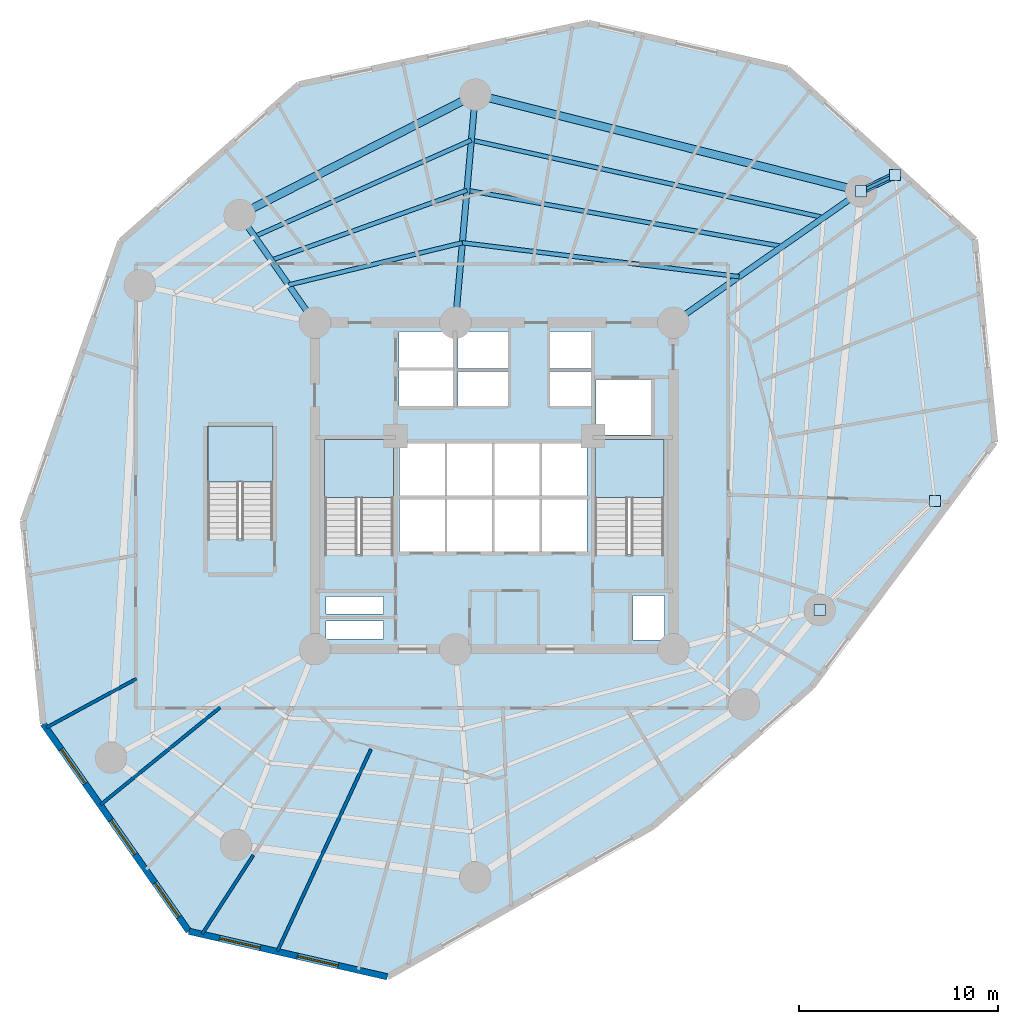
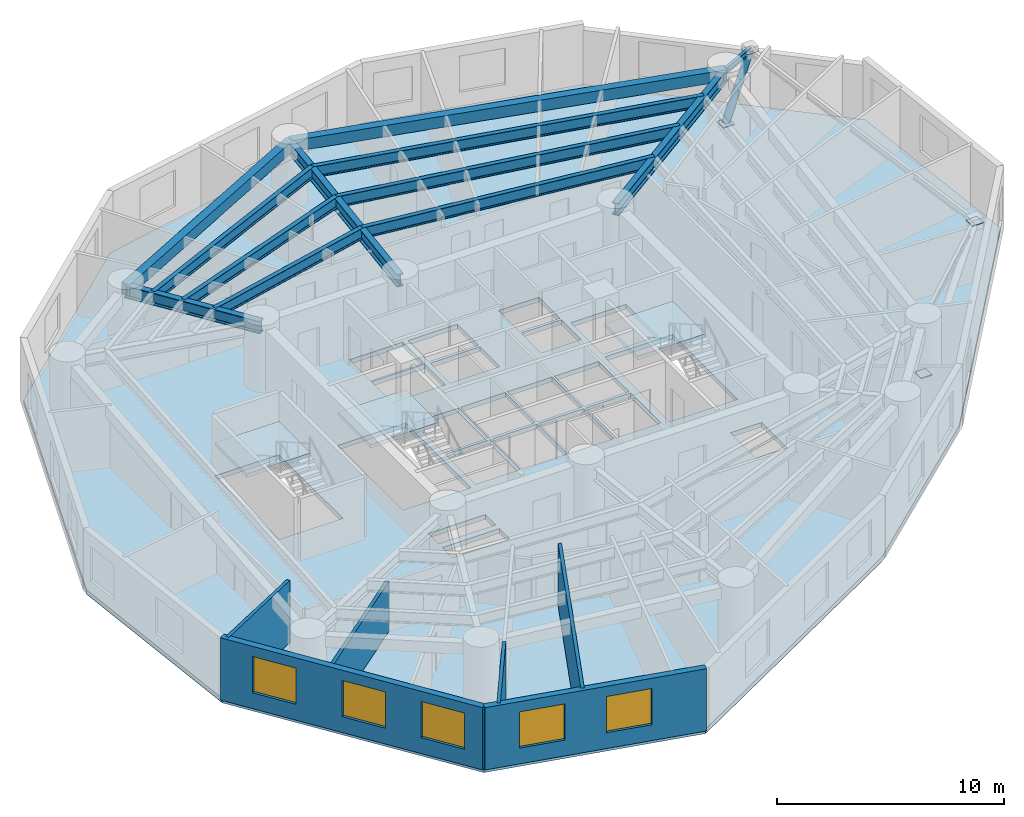
# One storey, part 2 of 8: 12 beams, 6 walls, 5 windows, 4 plates, 4 slabs, 1 member, 5 openings, 3 elements without a shape of their own.
"""IFC4 building model written with IfcOpenShell, lengths in metres."""

import ifcopenshell
import ifcopenshell.guid

model = None  # the IFC model being written
_history = None  # IfcOwnerHistory: only IFC2X3 demands one
_inside = {}  # id of a spatial element -> (the spatial element, [elements in it])
_under = {}  # id of a project, library or spatial element -> (it, [spatial elements below it])
_declared = {}  # id of a project -> (the project, [libraries it declares])
_typed = {}  # id of a type object -> (the type object, [elements of that type])
_made_of = {}  # id of a material, layer set ... -> (it, [elements and type objects made of it])


def new_model(schema):
    """Start an empty IFC model of exactly this schema.

    Asked for "IFC4X3", IfcOpenShell would pick the latest addendum, in which some entities
    have other attributes; the version numbers below select the first issue.
    IFC2X3 requires an IfcOwnerHistory on every rooted entity: one is made here for all.
    """
    global model, _history
    if schema == "IFC4X3":
        model = ifcopenshell.file(schema_version=(4, 3, 0, 0))
    else:
        model = ifcopenshell.file(schema=schema)
    _inside.clear()
    _under.clear()
    _declared.clear()
    _typed.clear()
    _made_of.clear()
    _history = None
    if model.schema == "IFC2X3":
        org = make("IfcOrganization", Name="unknown")
        user = make(
            "IfcPersonAndOrganization",
            ThePerson=make("IfcPerson", FamilyName="unknown"),
            TheOrganization=org,
        )
        app = make(
            "IfcApplication",
            ApplicationDeveloper=org,
            Version="unknown",
            ApplicationFullName="unknown",
            ApplicationIdentifier="unknown",
        )
        _history = make(
            "IfcOwnerHistory",
            OwningUser=user,
            OwningApplication=app,
            ChangeAction="ADDED",
            CreationDate=0,
        )
    return model


def make(cls, **values):
    """One entity of the class cls with the attributes given. An attribute that is None is left unset."""
    return model.create_entity(
        cls, **{name: value for name, value in values.items() if value is not None}
    )


def rooted(cls, **values):
    """An entity with a GlobalId (a new one), such as an element, a storey or a relation."""
    return make(cls, GlobalId=ifcopenshell.guid.new(), OwnerHistory=_history, **values)


def si_unit(unit_type, name, prefix=None):
    """IfcSIUnit, for example si_unit("LENGTHUNIT", "METRE", prefix="MILLI")."""
    return make("IfcSIUnit", UnitType=unit_type, Prefix=prefix, Name=name)


def assignment(units):
    """IfcUnitAssignment: the units of a project."""
    return None if units is None else make("IfcUnitAssignment", Units=units)


def point(xyz):
    """IfcCartesianPoint."""
    return None if xyz is None else make("IfcCartesianPoint", Coordinates=xyz)


def direction(xyz):
    """IfcDirection."""
    return None if xyz is None else make("IfcDirection", DirectionRatios=xyz)


def frame(location, z_axis=None, x_axis=None):
    """IfcAxis2Placement3D, a coordinate frame: its origin and axes. An axis left out is left unset."""
    return make(
        "IfcAxis2Placement3D",
        Location=point(location),
        Axis=direction(z_axis),
        RefDirection=direction(x_axis),
    )


def frame_2d(location, x_axis=None):
    """IfcAxis2Placement2D, a coordinate frame in the plane: its origin and x axis."""
    return make(
        "IfcAxis2Placement2D", Location=point(location), RefDirection=direction(x_axis)
    )


def origin():
    """The frame at (0, 0, 0) with its axes left unset."""
    return frame((0.0, 0.0, 0.0))


def origin_with_axes():
    """The frame at (0, 0, 0) with the z axis (0, 0, 1) and the x axis (1, 0, 0) written out."""
    return frame((0.0, 0.0, 0.0), z_axis=(0.0, 0.0, 1.0), x_axis=(1.0, 0.0, 0.0))


def origin_2d():
    """The frame at (0, 0) in the plane with its x axis left unset."""
    return frame_2d((0.0, 0.0))


def place(relative_to, where):
    """IfcLocalPlacement: puts the frame where relative to a parent placement (None: the world)."""
    return make(
        "IfcLocalPlacement", PlacementRelTo=relative_to, RelativePlacement=where
    )


def context(
    kind, dimensions, precision=None, world=None, true_north=None, identifier=None
):
    """IfcGeometricRepresentationContext, for example the 3D "Model" context."""
    return make(
        "IfcGeometricRepresentationContext",
        ContextIdentifier=identifier,
        ContextType=kind,
        CoordinateSpaceDimension=dimensions,
        Precision=precision,
        WorldCoordinateSystem=world,
        TrueNorth=true_north,
    )


def subcontext(parent, identifier, kind, view, scale=None):
    """IfcGeometricRepresentationSubContext, for example "Body" below "Model"."""
    return make(
        "IfcGeometricRepresentationSubContext",
        ContextIdentifier=identifier,
        ContextType=kind,
        ParentContext=parent,
        TargetScale=scale,
        TargetView=view,
    )


def project(units=None, contexts=None):
    """IfcProject with its units and contexts."""
    return rooted(
        "IfcProject",
        Name="project",
        RepresentationContexts=contexts,
        UnitsInContext=assignment(units),
    )


def spatial(cls, under=None, at=None, **own):
    """A site, building, storey or space (cls), placed at a placement, below another one or the project."""
    s = rooted(cls, ObjectPlacement=at, **own)
    if under is not None:
        _under.setdefault(under.id(), (under, []))[1].append(s)
    return s


def polyline(points):
    """IfcPolyline through the points."""
    return make("IfcPolyline", Points=[point(p) for p in points])


def profile(cls, at=None, kind="AREA", **sizes):
    """A parametric profile (cls). Its sizes go by their IFC names, for example OverallWidth=200.0."""
    return make(cls, ProfileType=kind, Position=at, **sizes)


def rectangle(**sizes):
    """IfcRectangleProfileDef."""
    return profile("IfcRectangleProfileDef", **sizes)


def hollow_circle(**sizes):
    """IfcCircleHollowProfileDef."""
    return profile("IfcCircleHollowProfileDef", **sizes)


def i_section(**sizes):
    """IfcIShapeProfileDef."""
    return profile("IfcIShapeProfileDef", **sizes)


def outline(outer, holes=None, kind="AREA"):
    """IfcArbitraryClosedProfileDef: a profile drawn as a closed curve; with holes, ...WithVoids."""
    if holes is None:
        return make("IfcArbitraryClosedProfileDef", ProfileType=kind, OuterCurve=outer)
    return make(
        "IfcArbitraryProfileDefWithVoids",
        ProfileType=kind,
        OuterCurve=outer,
        InnerCurves=holes,
    )


def extrude(swept, where, along, depth):
    """IfcExtrudedAreaSolid: the profile swept, set in the frame where, extruded along a direction by depth."""
    return make(
        "IfcExtrudedAreaSolid",
        SweptArea=swept,
        Position=where,
        ExtrudedDirection=direction(along),
        Depth=depth,
    )


def shape(context_of_items, identifier, shape_type, items):
    """IfcShapeRepresentation: the items that make up one representation, for example the "Body"."""
    return make(
        "IfcShapeRepresentation",
        ContextOfItems=context_of_items,
        RepresentationIdentifier=identifier,
        RepresentationType=shape_type,
        Items=items,
    )


def source(mapping_origin, context_of_items, identifier, shape_type, items):
    """IfcRepresentationMap: a shape defined once, which mapped items show again and again."""
    return make(
        "IfcRepresentationMap",
        MappingOrigin=mapping_origin,
        MappedRepresentation=shape(context_of_items, identifier, shape_type, items),
    )


def transform(
    local_origin,
    x_axis=None,
    y_axis=None,
    z_axis=None,
    scale=None,
    scale2=None,
    scale3=None,
    uniform=True,
):
    """IfcCartesianTransformationOperator3D, or its non-uniform kind. x_axis, y_axis, z_axis: its Axis1, 2, 3."""
    if uniform:
        return make(
            "IfcCartesianTransformationOperator3D",
            Axis1=direction(x_axis),
            Axis2=direction(y_axis),
            LocalOrigin=point(local_origin),
            Scale=scale,
            Axis3=direction(z_axis),
        )
    return make(
        "IfcCartesianTransformationOperator3DnonUniform",
        Axis1=direction(x_axis),
        Axis2=direction(y_axis),
        LocalOrigin=point(local_origin),
        Scale=scale,
        Axis3=direction(z_axis),
        Scale2=scale2,
        Scale3=scale3,
    )


def mapped(mapping_source, mapping_target):
    """IfcMappedItem: shows the shape of a source again, moved by a transform."""
    return make(
        "IfcMappedItem", MappingSource=mapping_source, MappingTarget=mapping_target
    )


def material(Name=None, Category=None):
    """IfcMaterial."""
    return make("IfcMaterial", Name=Name, Category=Category)


def layer(
    of_material, thickness, ventilated=None, Name=None, Category=None, Priority=None
):
    """IfcMaterialLayer: one layer of a wall or slab, of a material (None: an air gap)."""
    return make(
        "IfcMaterialLayer",
        Material=of_material,
        LayerThickness=thickness,
        IsVentilated=ventilated,
        Name=Name,
        Category=Category,
        Priority=Priority,
    )


def layer_set(layers, Name=None):
    """IfcMaterialLayerSet."""
    return make("IfcMaterialLayerSet", MaterialLayers=layers, LayerSetName=Name)


def material_profile(
    of_material, cross_section, Name=None, Category=None, Priority=None
):
    """IfcMaterialProfile: a cross section and its material."""
    return make(
        "IfcMaterialProfile",
        Name=Name,
        Material=of_material,
        Profile=cross_section,
        Priority=Priority,
        Category=Category,
    )


def profile_set(profiles, Name=None, composite=None):
    """IfcMaterialProfileSet."""
    return make(
        "IfcMaterialProfileSet",
        Name=Name,
        MaterialProfiles=profiles,
        CompositeProfile=composite,
    )


def made_of(thing, what):
    """Note that an element or type object is made of a material, layer set ...; save() writes the relation."""
    if what is not None:
        _made_of.setdefault(what.id(), (what, []))[1].append(thing)
    return thing


def type_object(cls, material=None, **own):
    """A type object (cls), such as IfcWallType, which elements share."""
    return made_of(rooted(cls, **own), material)


def element(
    cls,
    number,
    at=None,
    inside=None,
    cuts=None,
    type_object=None,
    material=None,
    context=None,
    identifier="Body",
    shape_type=None,
    held_by="IfcProductDefinitionShape",
    body=None,
    shapes=None,
    **own,
):
    """One element of the class cls, such as IfcWall. Its Tag is "e" and its number.

    at: its placement. inside: the storey or other place that contains it. cuts: it is an
    opening in that element (IfcRelVoidsElement). A single representation is given by context,
    identifier, shape_type and body (its items); several are given by shapes. held_by: the class
    of the entity that holds the representations. save() writes the other relations.
    """
    e = rooted(cls, Tag="e%d" % number, ObjectPlacement=at, **own)
    if body is not None:
        shapes = [shape(context, identifier, shape_type, body)]
    if shapes is not None:
        e.Representation = make(held_by, Representations=shapes)
    if inside is not None:
        _inside.setdefault(inside.id(), (inside, []))[1].append(e)
    if cuts is not None:
        rooted(
            "IfcRelVoidsElement", RelatingBuildingElement=cuts, RelatedOpeningElement=e
        )
    if type_object is not None:
        _typed.setdefault(type_object.id(), (type_object, []))[1].append(e)
    return made_of(e, material)


def fill(opening, filler):
    """IfcRelFillsElement: the door or window that sits in an opening."""
    return rooted(
        "IfcRelFillsElement",
        RelatingOpeningElement=opening,
        RelatedBuildingElement=filler,
    )


def aggregate(whole, parts):
    """IfcRelAggregates: a whole, such as a stair, and the parts it consists of."""
    return rooted("IfcRelAggregates", RelatingObject=whole, RelatedObjects=parts)


def save(model, path):
    """Write the relations noted so far, then the file.

    IfcRelAggregates (storeys below a building ...), IfcRelContainedInSpatialStructure (elements
    in a storey), IfcRelDefinesByType, IfcRelAssociatesMaterial and IfcRelDeclares: one each for
    every whole, place, type object, material and project.
    """
    for whole, parts in _under.values():
        aggregate(whole, parts)
    for where, things in _inside.values():
        rooted(
            "IfcRelContainedInSpatialStructure",
            RelatedElements=things,
            RelatingStructure=where,
        )
    for kind, things in _typed.values():
        rooted("IfcRelDefinesByType", RelatedObjects=things, RelatingType=kind)
    for what, things in _made_of.values():
        rooted("IfcRelAssociatesMaterial", RelatedObjects=things, RelatingMaterial=what)
    for by, libraries in _declared.values():
        rooted("IfcRelDeclares", RelatingContext=by, RelatedDefinitions=libraries)
    model.write(path)


model = new_model("IFC4")

# Units and contexts
model_context = context("Model", 3, precision=1e-05, world=origin(), true_north=direction((0.0, 1.0)))
body_context = subcontext(model_context, "Body", "Model", "MODEL_VIEW")
ifc_project = project(units=[si_unit("LENGTHUNIT", "METRE"), si_unit("AREAUNIT", "SQUARE_METRE"), si_unit("VOLUMEUNIT", "CUBIC_METRE"), si_unit("PLANEANGLEUNIT", "RADIAN"), si_unit("MASSUNIT", "GRAM", prefix="KILO")], contexts=[model_context])

# Site, building, storey
site_placement = place(None, origin())
site = spatial("IfcSite", under=ifc_project, at=site_placement, CompositionType="ELEMENT")
building_placement = place(site_placement, origin())
building = spatial("IfcBuilding", under=site, at=building_placement, Name="Karkom Vertical University and Central Library", CompositionType="ELEMENT")
storey_placement = place(building_placement, frame((0.0, 0.0, 62.5)))
storey = spatial("IfcBuildingStorey", under=building, at=storey_placement, Name="L16", CompositionType="ELEMENT", Elevation=62.5)

# Beams
ifc_material_1 = material(Name="Steel S355", Category="steel")
ifc_material_profile_1 = material_profile(ifc_material_1, i_section(OverallWidth=0.300048828125, OverallDepth=0.64990234375, WebThickness=0.01611328125, FlangeThickness=0.031005859375, FilletRadius=0.027099609375, at=origin_2d()), Name="HE 650 B")
ifc_profile_set_1 = profile_set([ifc_material_profile_1], Name="Steel S355")
beam_type_1 = type_object("IfcBeamType", Name="STR-BM-SB-HE650", PredefinedType="USERDEFINED", material=ifc_profile_set_1)
shared_shape_1 = source(origin_with_axes(), body_context, "Body", "SweptSolid", [
    extrude(i_section(OverallWidth=0.300048828125, OverallDepth=0.64990234375, WebThickness=0.01611328125, FlangeThickness=0.031005859375, FilletRadius=0.027099609375, at=origin_2d()), origin(), (0.0, 0.0, 1.0), 11.49951171875),
])
beam_1_placement = place(storey_placement, frame((37.5, 34.699951171875, 3.02490234375), z_axis=(0.81915012564, 0.573579176457, 0.0), x_axis=(-0.573579176457, 0.81915012564, 0.0)))
element("IfcBeam", 1, at=beam_1_placement, inside=storey, type_object=beam_type_1, Name="Level 16 Radial Frame Girder 02", ObjectType="GIRDER", PredefinedType="USERDEFINED", context=body_context, shape_type="MappedRepresentation", body=[
    mapped(shared_shape_1, transform((0.0, 0.0, 0.0), scale=1.0)),
])
shared_shape_2 = source(origin_with_axes(), body_context, "Body", "SweptSolid", [
    extrude(i_section(OverallWidth=0.300048828125, OverallDepth=0.64990234375, WebThickness=0.01611328125, FlangeThickness=0.031005859375, FilletRadius=0.027099609375, at=origin_2d()), origin(), (0.0, 0.0, 1.0), 11.499755859375),
])
beam_2_placement = place(storey_placement, frame((26.550048828125, 34.699951171875, 3.02490234375), z_axis=(0.087127973109, 0.99619712723, 0.0), x_axis=(-0.99619712723, 0.087127973109, 0.0)))
element("IfcBeam", 2, at=beam_2_placement, inside=storey, type_object=beam_type_1, Name="Level 16 Radial Frame Girder 03", ObjectType="GIRDER", PredefinedType="USERDEFINED", context=body_context, shape_type="MappedRepresentation", body=[
    mapped(shared_shape_2, transform((0.0, 0.0, 0.0), scale=1.0)),
])
shared_shape_3 = source(origin_with_axes(), body_context, "Body", "SweptSolid", [
    extrude(i_section(OverallWidth=0.300048828125, OverallDepth=0.64990234375, WebThickness=0.01611328125, FlangeThickness=0.031005859375, FilletRadius=0.027099609375, at=origin_2d()), origin(), (0.0, 0.0, 1.0), 6.599853515625),
])
beam_3_placement = place(storey_placement, frame((19.5, 34.699951171875, 3.02490234375), z_axis=(-0.573633636671, 0.819111989218, 0.0), x_axis=(-0.819111989218, -0.573633636671, 0.0)))
element("IfcBeam", 3, at=beam_3_placement, inside=storey, type_object=beam_type_1, Name="Level 16 Radial Frame Girder 04", ObjectType="GIRDER", PredefinedType="USERDEFINED", context=body_context, shape_type="MappedRepresentation", body=[
    mapped(shared_shape_3, transform((0.0, 0.0, 0.0), scale=1.0)),
])
ifc_material_2 = material(Name="Precast concrete C45/55", Category="concrete")
ifc_material_profile_2 = material_profile(ifc_material_2, rectangle(XDim=0.39990234375, YDim=0.60009765625, at=origin_2d()), Name="SPB-400x600")
ifc_profile_set_2 = profile_set([ifc_material_profile_2], Name="Precast concrete C45/55")
beam_type_2 = type_object("IfcBeamType", Name="STR-BM-SP-1", PredefinedType="SPANDREL", material=ifc_profile_set_2)
shared_shape_4 = source(origin_with_axes(), body_context, "Body", "SweptSolid", [
    extrude(rectangle(XDim=0.39990234375, YDim=0.60009765625, at=origin_2d()), origin(), (0.0, 0.0, 1.0), 19.968505859375),
])
beam_4_placement = place(storey_placement, frame((46.919921875, 41.2958984375, 3.050048828125), z_axis=(-0.969928522391, 0.243389937039, 0.0), x_axis=(-0.243389937039, -0.969928522391, 0.0)))
element("IfcBeam", 4, at=beam_4_placement, inside=storey, type_object=beam_type_2, Name="Level 16 Perimeter Spandrel Beam 02", PredefinedType="SPANDREL", context=body_context, shape_type="MappedRepresentation", body=[
    mapped(shared_shape_4, transform((0.0, 0.0, 0.0), scale=1.0)),
])
shared_shape_5 = source(origin_with_axes(), body_context, "Body", "SweptSolid", [
    extrude(rectangle(XDim=0.39990234375, YDim=0.60009765625, at=origin_2d()), origin(), (0.0, 0.0, 1.0), 13.29443359375),
])
beam_5_placement = place(storey_placement, frame((27.552001953125, 46.156005859375, 3.050048828125), z_axis=(-0.890447746793, -0.455085497716, 0.0), x_axis=(0.455085497716, -0.890447746793, 0.0)))
element("IfcBeam", 5, at=beam_5_placement, inside=storey, type_object=beam_type_2, Name="Level 16 Perimeter Spandrel Beam 03", PredefinedType="SPANDREL", context=body_context, shape_type="MappedRepresentation", body=[
    mapped(shared_shape_5, transform((0.0, 0.0, 0.0), scale=1.0)),
])
ifc_material_profile_3 = material_profile(ifc_material_1, i_section(OverallWidth=0.219970703125, OverallDepth=0.60009765625, WebThickness=0.011962890625, FlangeThickness=0.01904296875, FilletRadius=0.02392578125, at=origin_2d()), Name="IPE 600")
ifc_profile_set_3 = profile_set([ifc_material_profile_3], Name="Steel S355")
beam_type_3 = type_object("IfcBeamType", Name="STR-BM-SB-IPE600", PredefinedType="BEAM", material=ifc_profile_set_3)
shared_shape_6 = source(origin_with_axes(), body_context, "Body", "SweptSolid", [
    extrude(i_section(OverallWidth=0.219970703125, OverallDepth=0.60009765625, WebThickness=0.011962890625, FlangeThickness=0.01904296875, FilletRadius=0.02392578125, at=origin_2d()), origin(), (0.0, 0.0, 1.0), 14.000244140625),
])
beam_6_placement = place(storey_placement, frame((40.797119140625, 37.008544921875, 3.050048828125), z_axis=(-0.992590166403, 0.121510335198, 0.0), x_axis=(-0.121510335198, -0.992590166403, 0.0)))
element("IfcBeam", 6, at=beam_6_placement, inside=storey, type_object=beam_type_3, Name="Level 16 Secondary Composite Floor Beam 1.02", PredefinedType="BEAM", context=body_context, shape_type="MappedRepresentation", body=[
    mapped(shared_shape_6, transform((0.0, 0.0, 0.0), scale=1.0)),
])
shared_shape_7 = source(origin_with_axes(), body_context, "Body", "SweptSolid", [
    extrude(i_section(OverallWidth=0.219970703125, OverallDepth=0.60009765625, WebThickness=0.011962890625, FlangeThickness=0.01904296875, FilletRadius=0.02392578125, at=origin_2d()), origin(), (0.0, 0.0, 1.0), 8.97900390625),
])
beam_7_placement = place(storey_placement, frame((26.900634765625, 38.709716796875, 3.050048828125), z_axis=(-0.971790837509, -0.235844372697, 0.0), x_axis=(0.235844372697, -0.971790837509, 0.0)))
element("IfcBeam", 7, at=beam_7_placement, inside=storey, type_object=beam_type_3, Name="Level 16 Secondary Composite Floor Beam 1.03", PredefinedType="BEAM", context=body_context, shape_type="MappedRepresentation", body=[
    mapped(shared_shape_7, transform((0.0, 0.0, 0.0), scale=1.0)),
])
shared_shape_8 = source(origin_with_axes(), body_context, "Body", "SweptSolid", [
    extrude(i_section(OverallWidth=0.219970703125, OverallDepth=0.60009765625, WebThickness=0.011962890625, FlangeThickness=0.01904296875, FilletRadius=0.02392578125, at=origin_2d()), origin(), (0.0, 0.0, 1.0), 16.08154296875),
])
beam_8_placement = place(storey_placement, frame((42.963623046875, 38.525634765625, 3.050048828125), z_axis=(-0.984517708807, 0.175285142111, 0.0), x_axis=(-0.175285142111, -0.984517708807, 0.0)))
element("IfcBeam", 8, at=beam_8_placement, inside=storey, type_object=beam_type_3, Name="Level 16 Secondary Composite Floor Beam 2.02", PredefinedType="BEAM", context=body_context, shape_type="MappedRepresentation", body=[
    mapped(shared_shape_8, transform((0.0, 0.0, 0.0), scale=1.0)),
])
shared_shape_9 = source(origin_with_axes(), body_context, "Body", "SweptSolid", [
    extrude(i_section(OverallWidth=0.219970703125, OverallDepth=0.60009765625, WebThickness=0.011962890625, FlangeThickness=0.01904296875, FilletRadius=0.02392578125, at=origin_2d()), origin(), (0.0, 0.0, 1.0), 10.4345703125),
])
beam_9_placement = place(storey_placement, frame((27.131103515625, 41.344482421875, 3.050048828125), z_axis=(-0.941759378798, -0.336287484819, 0.0), x_axis=(0.336287484819, -0.941759378798, 0.0)))
element("IfcBeam", 9, at=beam_9_placement, inside=storey, type_object=beam_type_3, Name="Level 16 Secondary Composite Floor Beam 2.03", PredefinedType="BEAM", context=body_context, shape_type="MappedRepresentation", body=[
    mapped(shared_shape_9, transform((0.0, 0.0, 0.0), scale=1.0)),
])
shared_shape_10 = source(origin_with_axes(), body_context, "Body", "SweptSolid", [
    extrude(i_section(OverallWidth=0.219970703125, OverallDepth=0.60009765625, WebThickness=0.011962890625, FlangeThickness=0.01904296875, FilletRadius=0.02392578125, at=origin_2d()), origin(), (0.0, 0.0, 1.0), 18.106689453125),
])
beam_10_placement = place(storey_placement, frame((45.035888671875, 39.976806640625, 3.050048828125), z_axis=(-0.976674731786, 0.214724167926, 0.0), x_axis=(-0.214724167926, -0.976674731786, 0.0)))
element("IfcBeam", 10, at=beam_10_placement, inside=storey, type_object=beam_type_3, Name="Level 16 Secondary Composite Floor Beam 3.02", PredefinedType="BEAM", context=body_context, shape_type="MappedRepresentation", body=[
    mapped(shared_shape_10, transform((0.0, 0.0, 0.0), scale=1.0)),
])
shared_shape_11 = source(origin_with_axes(), body_context, "Body", "SweptSolid", [
    extrude(i_section(OverallWidth=0.219970703125, OverallDepth=0.60009765625, WebThickness=0.011962890625, FlangeThickness=0.01904296875, FilletRadius=0.02392578125, at=origin_2d()), origin(), (0.0, 0.0, 1.0), 11.908203125),
])
beam_11_placement = place(storey_placement, frame((27.3515625, 43.86474609375, 3.050048828125), z_axis=(-0.913682996781, -0.406427584441, 0.0), x_axis=(0.406427584441, -0.913682996781, 0.0)))
element("IfcBeam", 11, at=beam_11_placement, inside=storey, type_object=beam_type_3, Name="Level 16 Secondary Composite Floor Beam 3.03", PredefinedType="BEAM", context=body_context, shape_type="MappedRepresentation", body=[
    mapped(shared_shape_11, transform((0.0, 0.0, 0.0), scale=1.0)),
])
ifc_material_profile_4 = material_profile(ifc_material_1, i_section(OverallWidth=0.159912109375, OverallDepth=0.330078125, WebThickness=0.007568359375, FlangeThickness=0.011474609375, FilletRadius=0.01806640625, at=origin_2d()), Name="IPE 330")
ifc_profile_set_4 = profile_set([ifc_material_profile_4], Name="Steel S355")
beam_type_4 = type_object("IfcBeamType", Name="STR-BM-SB-IPE330", PredefinedType="BEAM", material=ifc_profile_set_4)
shared_shape_12 = source(origin_with_axes(), body_context, "Body", "SweptSolid", [
    extrude(i_section(OverallWidth=0.159912109375, OverallDepth=0.330078125, WebThickness=0.007568359375, FlangeThickness=0.011474609375, FilletRadius=0.01806640625, at=origin_2d()), origin(), (0.0, 0.0, 1.0), 1.894775390625),
])
beam_12_placement = place(storey_placement, frame((46.919921875, 41.2958984375, 3.18505859375), z_axis=(0.903091408768, 0.42944837572, 0.0), x_axis=(-0.42944837572, 0.903091408768, 0.0)))
element("IfcBeam", 12, at=beam_12_placement, inside=storey, type_object=beam_type_4, Name="Level 16 Sky Garden Outrigger Support Beam 2", PredefinedType="BEAM", context=body_context, shape_type="MappedRepresentation", body=[
    mapped(shared_shape_12, transform((0.0, 0.0, 0.0), scale=1.0)),
])

# Member
ifc_material_profile_5 = material_profile(ifc_material_1, hollow_circle(Radius=0.177734375, WallThickness=0.01611328125, at=origin_2d()), Name="CHS 355.6x16")
ifc_profile_set_5 = profile_set([ifc_material_profile_5], Name="Steel S355")
member_type = type_object("IfcMemberType", Name="STR-MEM-BR-3", PredefinedType="BRACE", material=ifc_profile_set_5)
shared_shape_13 = source(origin_with_axes(), body_context, "Body", "SweptSolid", [
    extrude(hollow_circle(Radius=0.177734375, WallThickness=0.01611328125, at=origin_2d()), origin(), (0.0, 0.0, 1.0), 3.409912109375),
])
member_placement = place(storey_placement, frame((46.919921875, 41.2958984375, 0.35009765625), z_axis=(0.501830330397, 0.238636109461, 0.831395890509), x_axis=(-0.42944837572, 0.903091408768, 0.0)))
element("IfcMember", 13, at=member_placement, inside=storey, type_object=member_type, Name="Level 16 Sky Garden Knee Strut Brace 2", PredefinedType="BRACE", context=body_context, shape_type="MappedRepresentation", body=[
    mapped(shared_shape_13, transform((0.0, 0.0, 0.0), scale=1.0)),
])

# Stair, slab
ifc_material_3 = material(Name="Concrete C45/55", Category="concrete")
stair_type_1 = type_object("IfcStairType", Name="INT-STR-ST-MAIN", PredefinedType="HALF_TURN_STAIR", material=ifc_material_3)
stair_1_placement = place(storey_placement, origin())
stair_1 = element("IfcStair", 14, at=stair_1_placement, inside=storey, type_object=stair_type_1, Name="Level 16 Tower Protected Exit Stair ST-1", PredefinedType="HALF_TURN_STAIR")
ifc_layer_1 = layer(ifc_material_3, 0.199951171875)
ifc_layer_set_1 = layer_set([ifc_layer_1], Name="Concrete C45/55")
slab_type_1 = type_object("IfcSlabType", Name="INT-SLB-LANDING", PredefinedType="LANDING", material=ifc_layer_set_1)
slab_1_placement = place(storey_placement, frame((0.0, 0.0, 1.60009765625)))
slab_1 = element("IfcSlab", 15, at=slab_1_placement, type_object=slab_type_1, Name="ST-1 landing 1", PredefinedType="LANDING", context=body_context, shape_type="SweptSolid", body=[
    extrude(outline(polyline([(23.43994140625, 25.919921875), (23.43994140625, 28.820068359375), (19.97998046875, 28.820068359375), (19.97998046875, 25.919921875), (23.43994140625, 25.919921875)])), origin(), (0.0, 0.0, 1.0), 0.199951171875),
])
aggregate(stair_1, [slab_1])

stair_2_placement = place(storey_placement, origin())
stair_2 = element("IfcStair", 16, at=stair_2_placement, inside=storey, type_object=stair_type_1, Name="Level 16 Tower Protected Exit Stair ST-2", PredefinedType="HALF_TURN_STAIR")
slab_2_placement = place(storey_placement, frame((0.0, 0.0, 1.60009765625)))
slab_2 = element("IfcSlab", 17, at=slab_2_placement, type_object=slab_type_1, Name="ST-2 landing 1", PredefinedType="LANDING", context=body_context, shape_type="SweptSolid", body=[
    extrude(outline(polyline([(37.02001953125, 25.919921875), (37.02001953125, 28.820068359375), (33.56005859375, 28.820068359375), (33.56005859375, 25.919921875), (37.02001953125, 25.919921875)])), origin(), (0.0, 0.0, 1.0), 0.199951171875),
])
aggregate(stair_2, [slab_2])

stair_type_2 = type_object("IfcStairType", Name="INT-STR-ST-SEC", PredefinedType="HALF_TURN_STAIR", material=ifc_material_3)
stair_3_placement = place(storey_placement, origin())
stair_3 = element("IfcStair", 18, at=stair_3_placement, inside=storey, type_object=stair_type_2, Name="Level 16 Academic Zone Protected Exit Stair ST-3", PredefinedType="HALF_TURN_STAIR")
slab_3_placement = place(storey_placement, frame((0.0, 0.0, 1.60009765625)))
slab_3 = element("IfcSlab", 19, at=slab_3_placement, type_object=slab_type_1, Name="ST-3 landing 1", PredefinedType="LANDING", context=body_context, shape_type="SweptSolid", body=[
    extrude(outline(polyline([(17.3798828125, 26.699951171875), (17.3798828125, 29.5), (14.1201171875, 29.5), (14.1201171875, 26.699951171875), (17.3798828125, 26.699951171875)])), origin(), (0.0, 0.0, 1.0), 0.199951171875),
])
aggregate(stair_3, [slab_3])

# Slab
ifc_layer_2 = layer(ifc_material_3, 0.25)
ifc_layer_set_2 = layer_set([ifc_layer_2], Name="Concrete C45/55")
slab_type_2 = type_object("IfcSlabType", Name="STR-SLB-FLR-250", PredefinedType="FLOOR", material=ifc_layer_set_2)
slab_4_placement = place(storey_placement, frame((0.0, 0.0, -0.25)))
element("IfcSlab", 20, at=slab_4_placement, inside=storey, type_object=slab_type_2, Name="Level 16 Tower Structural Floor Slab", PredefinedType="FLOOR", context=body_context, shape_type="SweptSolid", body=[
    extrude(outline(polyline([(18.69775390625, 46.660888671875), (9.74365234375, 38.77783203125), (4.8486328125, 24.74658203125), (5.85693359375, 14.555419921875), (13.17041015625, 4.13671875), (23.130615234375, 1.85009765625), (36.458984375, 9.400146484375), (44.45361328125, 16.438232421875), (53.631591796875, 28.70263671875), (52.625732421875, 38.8720703125), (43.2177734375, 47.447021484375), (33.236328125, 49.738525390625), (18.69775390625, 46.660888671875)]), holes=[polyline([(19.97998046875, 23.0849609375), (23.43994140625, 23.0849609375), (23.43994140625, 28.820068359375), (19.97998046875, 28.820068359375), (19.97998046875, 23.0849609375)]), polyline([(33.56005859375, 23.0849609375), (37.02001953125, 23.0849609375), (37.02001953125, 28.820068359375), (33.56005859375, 28.820068359375), (33.56005859375, 23.0849609375)]), polyline([(14.1201171875, 23.864990234375), (17.3798828125, 23.864990234375), (17.3798828125, 29.5), (14.1201171875, 29.5), (14.1201171875, 23.864990234375)]), polyline([(23.75, 23.199951171875), (26.030029296875, 23.199951171875), (26.030029296875, 25.85009765625), (23.75, 25.85009765625), (23.75, 23.199951171875)]), polyline([(26.1298828125, 23.199951171875), (28.409912109375, 23.199951171875), (28.409912109375, 25.85009765625), (26.1298828125, 25.85009765625), (26.1298828125, 23.199951171875)]), polyline([(28.510009765625, 23.199951171875), (30.7900390625, 23.199951171875), (30.7900390625, 25.85009765625), (28.510009765625, 25.85009765625), (28.510009765625, 23.199951171875)]), polyline([(30.889892578125, 23.199951171875), (33.169921875, 23.199951171875), (33.169921875, 25.85009765625), (30.889892578125, 25.85009765625), (30.889892578125, 23.199951171875)]), polyline([(23.75, 26.0), (26.030029296875, 26.0), (26.030029296875, 28.64990234375), (23.75, 28.64990234375), (23.75, 26.0)]), polyline([(26.1298828125, 26.0), (28.409912109375, 26.0), (28.409912109375, 28.64990234375), (26.1298828125, 28.64990234375), (26.1298828125, 26.0)]), polyline([(28.510009765625, 26.0), (30.7900390625, 26.0), (30.7900390625, 28.64990234375), (28.510009765625, 28.64990234375), (28.510009765625, 26.0)]), polyline([(30.889892578125, 26.0), (33.169921875, 26.0), (33.169921875, 28.64990234375), (30.889892578125, 28.64990234375), (30.889892578125, 26.0)]), polyline([(26.679931640625, 30.5), (29.199951171875, 30.5), (29.199951171875, 32.25), (26.679931640625, 32.25), (26.679931640625, 30.5)]), polyline([(26.679931640625, 32.39990234375), (29.199951171875, 32.39990234375), (29.199951171875, 34.25), (26.679931640625, 34.25), (26.679931640625, 32.39990234375)]), polyline([(31.300048828125, 30.5), (33.35009765625, 30.5), (33.35009765625, 32.25), (31.300048828125, 32.25), (31.300048828125, 30.5)]), polyline([(31.300048828125, 32.39990234375), (33.35009765625, 32.39990234375), (33.35009765625, 34.25), (31.300048828125, 34.25), (31.300048828125, 32.39990234375)]), polyline([(23.719970703125, 30.47998046875), (26.429931640625, 30.47998046875), (26.429931640625, 32.320068359375), (23.719970703125, 32.320068359375), (23.719970703125, 30.47998046875)]), polyline([(23.719970703125, 32.419921875), (26.429931640625, 32.419921875), (26.429931640625, 34.260009765625), (23.719970703125, 34.260009765625), (23.719970703125, 32.419921875)]), polyline([(33.60009765625, 29.050048828125), (36.39990234375, 29.050048828125), (36.39990234375, 31.85009765625), (33.60009765625, 31.85009765625), (33.60009765625, 29.050048828125)]), polyline([(20.050048828125, 18.820068359375), (22.949951171875, 18.820068359375), (22.949951171875, 19.719970703125), (20.050048828125, 19.719970703125), (20.050048828125, 18.820068359375)]), polyline([(20.050048828125, 20.06005859375), (22.949951171875, 20.06005859375), (22.949951171875, 20.9599609375), (20.050048828125, 20.9599609375), (20.050048828125, 20.06005859375)]), polyline([(35.4599609375, 18.760009765625), (37.0400390625, 18.760009765625), (37.0400390625, 21.010009765625), (35.4599609375, 21.010009765625), (35.4599609375, 18.760009765625)])]), origin(), (0.0, 0.0, 1.0), 0.25),
])

# Plates
ifc_layer_3 = layer(ifc_material_1, 0.028076171875)
ifc_layer_set_3 = layer_set([ifc_layer_3], Name="Steel S355")
plate_type = type_object("IfcPlateType", Name="STR-PLT-GP-2", PredefinedType="USERDEFINED", material=ifc_layer_set_3)
shared_shape_14 = source(origin_with_axes(), body_context, "Body", "SweptSolid", [
    extrude(rectangle(XDim=0.56005859375, YDim=0.56005859375, at=origin_2d()), origin(), (0.0, 0.0, 1.0), 0.028076171875),
])
for number, where, z_axis, x_axis, name in (
    (21, (44.841064453125, 20.26708984375, 0.3359375), (0.0, 0.0, 1.0), (1.0, 0.0, 0.0), "Level 16 Node Gusset Cap Plate L16-SKG-KNEE-1 A"),
    (22, (50.62255859375, 25.752197265625, 3.1708984375), (0.0, 0.0, 1.0), (1.0, 0.0, 0.0), "Level 16 Node Gusset Cap Plate L16-SKG-KNEE-1 B"),
    (23, (46.919921875, 41.2958984375, 0.3359375), (0.0, 0.0, 1.0), (1.0, 0.0, 0.0), "Level 16 Node Gusset Cap Plate L16-SKG-KNEE-2 A"),
    (24, (48.631103515625, 42.109619140625, 3.1708984375), (0.0, 0.0, 1.0), (1.0, 0.0, 0.0), "Level 16 Node Gusset Cap Plate L16-SKG-KNEE-2 B"),
):
    element("IfcPlate", number, at=place(storey_placement, frame(where, z_axis=z_axis, x_axis=x_axis)), inside=storey, type_object=plate_type, Name=name, ObjectType="GUSSET PLATE", PredefinedType="USERDEFINED", context=body_context, shape_type="MappedRepresentation", body=[
        mapped(shared_shape_14, transform((0.0, 0.0, 0.0), scale=1.0)),
    ])

# Wall, openings, windows
ifc_material_4 = material(Name="Brick-faced precast concrete C45/55", Category="masonry")
ifc_layer_4 = layer(ifc_material_4, 0.320068359375)
ifc_layer_set_4 = layer_set([ifc_layer_4], Name="Brick-faced precast concrete C45/55")
wall_type_1 = type_object("IfcWallType", Name="ENV-WL-BRK-320", PredefinedType="SOLIDWALL", material=ifc_layer_set_4)
wall_1_placement = place(storey_placement, frame((5.85693359375, 14.555419921875, 0.0), z_axis=(0.0, 0.0, 1.0), x_axis=(0.574536666847, -0.818478844228, 0.0)))
wall_1 = element("IfcWall", 25, at=wall_1_placement, inside=storey, type_object=wall_type_1, Name="Level 16 Brick-Faced Precast Facade Wall 04", PredefinedType="SOLIDWALL", context=body_context, shape_type="SweptSolid", body=[
    extrude(rectangle(XDim=12.729248046875, YDim=0.320068359375, at=frame_2d((6.36474609375, 0.0))), origin(), (0.0, 0.0, 1.0), 3.35009765625),
])
opening_1_placement = place(wall_1_placement, frame((1.561767578125, 0.0, 0.85009765625)))
opening_1 = element("IfcOpeningElement", 26, at=opening_1_placement, cuts=wall_1, Name="Opening WN-03", PredefinedType="OPENING", context=body_context, shape_type="SweptSolid", body=[
    extrude(rectangle(XDim=2.10009765625, YDim=1.949951171875, at=frame_2d((1.050048828125, 0.97509765625))), frame((0.0, 0.169921875, 0.0), z_axis=(0.0, -1.0, 0.0), x_axis=(1.0, 0.0, 0.0)), (0.0, 0.0, 1.0), 0.340087890625),
])
opening_2_placement = place(wall_1_placement, frame((5.908447265625, 0.0, 0.85009765625)))
opening_2 = element("IfcOpeningElement", 27, at=opening_2_placement, cuts=wall_1, Name="Opening WN-03", PredefinedType="OPENING", context=body_context, shape_type="SweptSolid", body=[
    extrude(rectangle(XDim=2.10009765625, YDim=1.949951171875, at=frame_2d((1.050048828125, 0.97509765625))), frame((0.0, 0.169921875, 0.0), z_axis=(0.0, -1.0, 0.0), x_axis=(1.0, 0.0, 0.0)), (0.0, 0.0, 1.0), 0.340087890625),
])
opening_3_placement = place(wall_1_placement, frame((9.755615234375, 0.0, 0.85009765625)))
opening_3 = element("IfcOpeningElement", 28, at=opening_3_placement, cuts=wall_1, Name="Opening WN-03", PredefinedType="OPENING", context=body_context, shape_type="SweptSolid", body=[
    extrude(rectangle(XDim=2.10009765625, YDim=1.949951171875, at=frame_2d((1.050048828125, 0.97509765625))), frame((0.0, 0.169921875, 0.0), z_axis=(0.0, -1.0, 0.0), x_axis=(1.0, 0.0, 0.0)), (0.0, 0.0, 1.0), 0.340087890625),
])
ifc_material_5 = material(Name="Aluminium thermal-break frame with solar-control IGU", Category="aluminium")
window_type = type_object("IfcWindowType", Name="ENV-WIN-WN-03", PartitioningType="SINGLE_PANEL", PredefinedType="WINDOW", material=ifc_material_5)
shared_shape_15 = source(origin_with_axes(), body_context, "Body", "SweptSolid", [
    extrude(rectangle(XDim=2.10009765625, YDim=1.949951171875, at=frame_2d((1.050048828125, 0.97509765625))), frame((0.0, 0.030029296875, 0.0), z_axis=(0.0, -1.0, 0.0), x_axis=(1.0, 0.0, 0.0)), (0.0, 0.0, 1.0), 0.06005859375),
])
window_1_placement = place(opening_1_placement, origin())
window_1 = element("IfcWindow", 29, at=window_1_placement, inside=storey, type_object=window_type, Name="Level 16 Punched Window 4.1", OverallHeight=1.949951171875, OverallWidth=2.10009765625, PartitioningType="SINGLE_PANEL", PredefinedType="WINDOW", context=body_context, shape_type="MappedRepresentation", body=[
    mapped(shared_shape_15, transform((0.0, 0.0, 0.0), scale=1.0)),
])
fill(opening_1, window_1)
window_2_placement = place(opening_2_placement, origin())
window_2 = element("IfcWindow", 30, at=window_2_placement, inside=storey, type_object=window_type, Name="Level 16 Punched Window 4.2", OverallHeight=1.949951171875, OverallWidth=2.10009765625, PartitioningType="SINGLE_PANEL", PredefinedType="WINDOW", context=body_context, shape_type="MappedRepresentation", body=[
    mapped(shared_shape_15, transform((0.0, 0.0, 0.0), scale=1.0)),
])
fill(opening_2, window_2)
window_3_placement = place(opening_3_placement, origin())
window_3 = element("IfcWindow", 31, at=window_3_placement, inside=storey, type_object=window_type, Name="Level 16 Punched Window 4.3", OverallHeight=1.949951171875, OverallWidth=2.10009765625, PartitioningType="SINGLE_PANEL", PredefinedType="WINDOW", context=body_context, shape_type="MappedRepresentation", body=[
    mapped(shared_shape_15, transform((0.0, 0.0, 0.0), scale=1.0)),
])
fill(opening_3, window_3)

wall_2_placement = place(storey_placement, frame((13.17041015625, 4.13671875, 0.0), z_axis=(0.0, 0.0, 1.0), x_axis=(0.974645442503, -0.223754913707, 0.0)))
wall_2 = element("IfcWall", 32, at=wall_2_placement, inside=storey, type_object=wall_type_1, Name="Level 16 Brick-Faced Precast Facade Wall 05", PredefinedType="SOLIDWALL", context=body_context, shape_type="SweptSolid", body=[
    extrude(rectangle(XDim=10.21923828125, YDim=0.320068359375, at=frame_2d((5.109619140625, 0.0))), origin(), (0.0, 0.0, 1.0), 3.35009765625),
])
opening_4_placement = place(wall_2_placement, frame((1.577880859375, 0.0, 0.85009765625)))
opening_4 = element("IfcOpeningElement", 33, at=opening_4_placement, cuts=wall_2, Name="Opening WN-03", PredefinedType="OPENING", context=body_context, shape_type="SweptSolid", body=[
    extrude(rectangle(XDim=2.10009765625, YDim=1.949951171875, at=frame_2d((1.050048828125, 0.97509765625))), frame((0.0, 0.169921875, 0.0), z_axis=(0.0, -1.0, 0.0), x_axis=(1.0, 0.0, 0.0)), (0.0, 0.0, 1.0), 0.340087890625),
])
opening_5_placement = place(wall_2_placement, frame((5.5908203125, 0.0, 0.85009765625)))
opening_5 = element("IfcOpeningElement", 34, at=opening_5_placement, cuts=wall_2, Name="Opening WN-03", PredefinedType="OPENING", context=body_context, shape_type="SweptSolid", body=[
    extrude(rectangle(XDim=2.10009765625, YDim=1.949951171875, at=frame_2d((1.050048828125, 0.97509765625))), frame((0.0, 0.169921875, 0.0), z_axis=(0.0, -1.0, 0.0), x_axis=(1.0, 0.0, 0.0)), (0.0, 0.0, 1.0), 0.340087890625),
])
window_4_placement = place(opening_4_placement, origin())
window_4 = element("IfcWindow", 35, at=window_4_placement, inside=storey, type_object=window_type, Name="Level 16 Punched Window 5.1", OverallHeight=1.949951171875, OverallWidth=2.10009765625, PartitioningType="SINGLE_PANEL", PredefinedType="WINDOW", context=body_context, shape_type="MappedRepresentation", body=[
    mapped(shared_shape_15, transform((0.0, 0.0, 0.0), scale=1.0)),
])
fill(opening_4, window_4)
window_5_placement = place(opening_5_placement, origin())
window_5 = element("IfcWindow", 36, at=window_5_placement, inside=storey, type_object=window_type, Name="Level 16 Punched Window 5.2", OverallHeight=1.949951171875, OverallWidth=2.10009765625, PartitioningType="SINGLE_PANEL", PredefinedType="WINDOW", context=body_context, shape_type="MappedRepresentation", body=[
    mapped(shared_shape_15, transform((0.0, 0.0, 0.0), scale=1.0)),
])
fill(opening_5, window_5)

# Walls
ifc_material_6 = material(Name="Insulated metal-stud drywall 160mm", Category="gypsum")
ifc_layer_5 = layer(ifc_material_6, 0.159912109375)
ifc_layer_set_5 = layer_set([ifc_layer_5], Name="Insulated metal-stud drywall 160mm")
wall_type_2 = type_object("IfcWallType", Name="INT-WL-COR-160", PredefinedType="PARTITIONING", material=ifc_layer_set_5)
wall_3_placement = place(storey_placement, frame((22.30810546875, 13.2763671875, 0.0), z_axis=(0.0, 0.0, 1.0), x_axis=(-0.420324930648, -0.907373656591, 0.0)))
element("IfcWall", 37, at=wall_3_placement, inside=storey, type_object=wall_type_2, Name="Level 16 Interior Partition Wall L16-PW-008", PredefinedType="PARTITIONING", context=body_context, shape_type="SweptSolid", body=[
    extrude(rectangle(XDim=11.167236328125, YDim=0.159912109375, at=frame_2d((5.58349609375, 0.0))), origin(), (0.0, 0.0, 1.0), 3.35009765625),
])
wall_4_placement = place(storey_placement, frame((14.737548828125, 15.37841796875, 0.0), z_axis=(0.0, 0.0, 1.0), x_axis=(-0.775632067895, -0.631185309757, 0.0)))
element("IfcWall", 38, at=wall_4_placement, inside=storey, type_object=wall_type_2, Name="Level 16 Interior Partition Wall L16-PW-003", PredefinedType="PARTITIONING", context=body_context, shape_type="SweptSolid", body=[
    extrude(rectangle(XDim=7.73583984375, YDim=0.159912109375, at=frame_2d((3.867919921875, 0.0))), origin(), (0.0, 0.0, 1.0), 2.699951171875),
])
wall_5_placement = place(storey_placement, frame((10.53955078125, 16.8232421875, 0.0), z_axis=(0.0, 0.0, 1.0), x_axis=(-0.878958020236, -0.476899149363, 0.0)))
element("IfcWall", 39, at=wall_5_placement, inside=storey, type_object=wall_type_2, Name="Level 16 Interior Partition Wall L16-PW-001", PredefinedType="PARTITIONING", context=body_context, shape_type="SweptSolid", body=[
    extrude(rectangle(XDim=5.14453125, YDim=0.159912109375, at=frame_2d((2.572265625, 0.0))), origin(), (0.0, 0.0, 1.0), 3.35009765625),
])
wall_6_placement = place(storey_placement, frame((16.40625, 7.964599609375, 0.0), z_axis=(0.0, 0.0, 1.0), x_axis=(-0.544145815875, -0.838990662085, 0.0)))
element("IfcWall", 40, at=wall_6_placement, inside=storey, type_object=wall_type_2, Name="Level 16 Interior Partition Wall L16-PW-006", PredefinedType="PARTITIONING", context=body_context, shape_type="SweptSolid", body=[
    extrude(rectangle(XDim=4.71728515625, YDim=0.159912109375, at=frame_2d((2.358642578125, 0.0))), origin(), (0.0, 0.0, 1.0), 3.35009765625),
])

save(model, "model.ifc")
